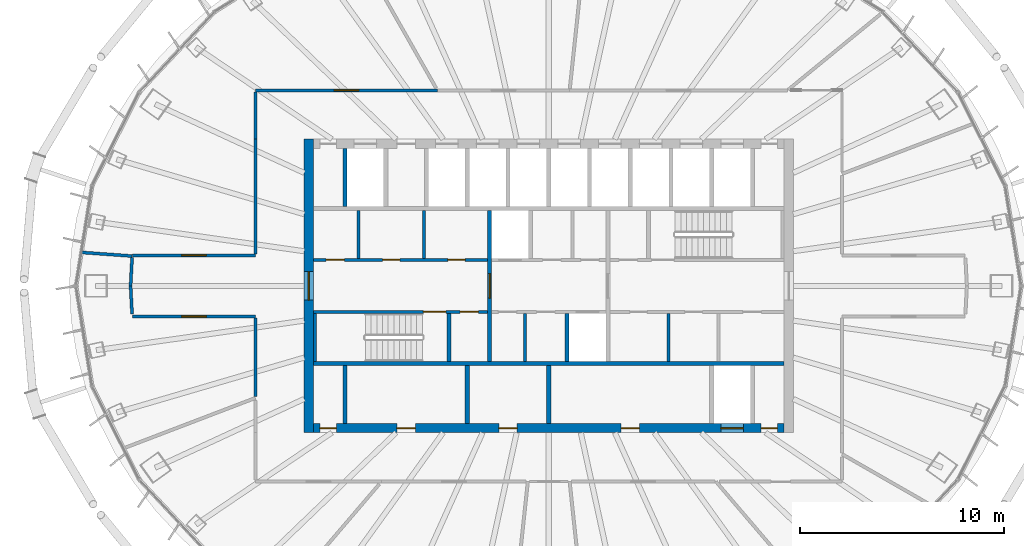
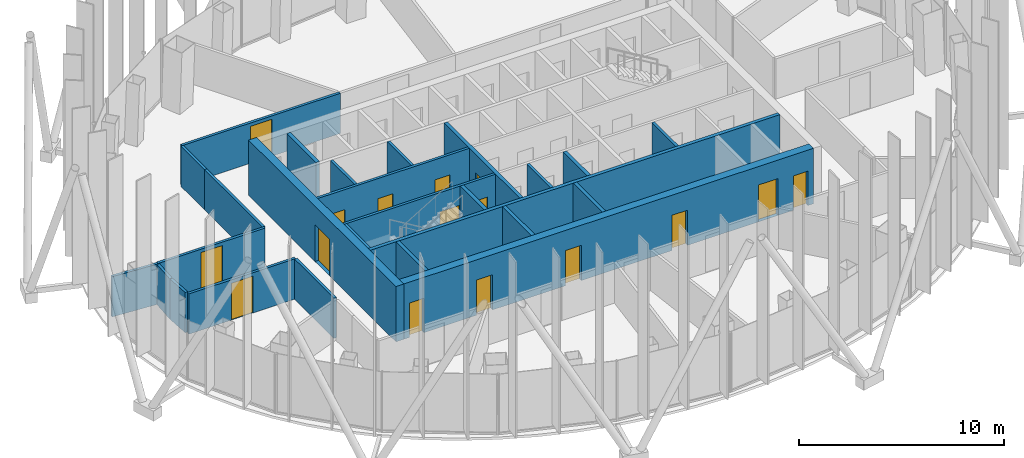
# One storey, part 10 of 19: 26 walls, 16 doors, 16 openings.
"""IFC4 building model written with IfcOpenShell, lengths in metres."""

from ifc_helpers import new_model, si_unit, direction, frame, frame_2d, origin, place, context, subcontext, project, spatial, rectangle, extrude, material, layer, layer_set, type_object, element, fill, save


model = new_model("IFC4")

# Units and contexts
model_context = context("Model", 3, precision=1e-05, world=origin(), true_north=direction((0.0, 1.0)))
body_context = subcontext(model_context, "Body", "Model", "MODEL_VIEW")
ifc_project = project(units=[si_unit("LENGTHUNIT", "METRE"), si_unit("AREAUNIT", "SQUARE_METRE"), si_unit("VOLUMEUNIT", "CUBIC_METRE"), si_unit("PLANEANGLEUNIT", "RADIAN"), si_unit("MASSUNIT", "GRAM", prefix="KILO")], contexts=[model_context])

# Site, building, storey
site_placement = place(None, origin())
site = spatial("IfcSite", under=ifc_project, at=site_placement, CompositionType="ELEMENT")
building_placement = place(site_placement, origin())
building = spatial("IfcBuilding", under=site, at=building_placement, Name="Siaravel Broadcast Tower", CompositionType="ELEMENT")
storey_placement = place(building_placement, frame((0.0, 0.0, 179.300048828125)))
storey = spatial("IfcBuildingStorey", under=building, at=storey_placement, Name="L43", CompositionType="ELEMENT", Elevation=179.300048828125)

# Walls
ifc_material_1 = material(Name="Concrete blockwork", Category="masonry")
ifc_layer_1 = layer(ifc_material_1, 0.14990234375)
ifc_layer_set_1 = layer_set([ifc_layer_1], Name="Concrete blockwork")
wall_type_1 = type_object("IfcWallType", Name="Core partition 150", PredefinedType="PARTITIONING", material=ifc_layer_set_1)
for number, where, z_axis, x_axis, name in (
    (1, (-9.330078125, 1.35009765625, 0.0), (0.0, 0.0, 1.0), (0.0, 1.0, 0.0), "L43 core partition PNW0"),
    (2, (-6.12744140625, 1.35009765625, 0.0), (0.0, 0.0, 1.0), (0.0, 1.0, 0.0), "L43 core partition PNW1"),
    (3, (5.8798828125, -3.699951171875, 0.0), (0.0, 0.0, 1.0), (0.0, 1.0, 0.0), "L43 core partition PSE0"),
    (4, (-1.172607421875, -3.699951171875, 0.0), (0.0, 0.0, 1.0), (0.0, 1.0, 0.0), "L43 core partition PSM0"),
):
    element("IfcWall", number, at=place(storey_placement, frame(where, z_axis=z_axis, x_axis=x_axis)), inside=storey, type_object=wall_type_1, Name=name, PredefinedType="PARTITIONING", context=body_context, shape_type="SweptSolid", body=[
        extrude(rectangle(XDim=2.349853515625, YDim=0.14990234375, at=frame_2d((1.1748046875, 0.0))), origin(), (0.0, 0.0, 1.0), 3.300048828125),
    ])
ifc_layer_2 = layer(ifc_material_1, 0.199951171875)
ifc_layer_set_2 = layer_set([ifc_layer_2], Name="Concrete blockwork")
wall_type_2 = type_object("IfcWallType", Name="Core partition 200", PredefinedType="PARTITIONING", material=ifc_layer_set_2)
for number, where, z_axis, x_axis, name in (
    (5, (-4.0, -6.75, 0.0), (0.0, 0.0, 1.0), (0.0, 1.0, 0.0), "L43 core partition PFS0"),
    (6, (0.0, -6.75, 0.0), (0.0, 0.0, 1.0), (0.0, 1.0, 0.0), "L43 core partition PFS3"),
):
    element("IfcWall", number, at=place(storey_placement, frame(where, z_axis=z_axis, x_axis=x_axis)), inside=storey, type_object=wall_type_2, Name=name, PredefinedType="PARTITIONING", context=body_context, shape_type="SweptSolid", body=[
        extrude(rectangle(XDim=2.85009765625, YDim=0.199951171875, at=frame_2d((1.425048828125, 0.0))), origin(), (0.0, 0.0, 1.0), 3.300048828125),
    ])

# Wall, opening, door
ifc_material_2 = material(Name="Concrete C60/75", Category="concrete")
ifc_layer_3 = layer(ifc_material_2, 0.449951171875)
ifc_layer_set_3 = layer_set([ifc_layer_3], Name="Concrete C60/75")
wall_type_3 = type_object("IfcWallType", Name="Core wall 450", PredefinedType="SHEAR", material=ifc_layer_set_3)
wall_1_placement = place(storey_placement, frame((-11.77490234375, -7.199951171875, 0.0), z_axis=(0.0, 0.0, 1.0), x_axis=(0.0, 1.0, 0.0)))
wall_1 = element("IfcWall", 7, at=wall_1_placement, inside=storey, type_object=wall_type_3, Name="L43 core wall OW", PredefinedType="SHEAR", context=body_context, shape_type="SweptSolid", body=[
    extrude(rectangle(XDim=14.39990234375, YDim=0.449951171875, at=frame_2d((7.199951171875, 0.0))), origin(), (0.0, 0.0, 1.0), 3.300048828125),
])
opening_1_placement = place(wall_1_placement, frame((6.5, 0.0, 0.0)))
opening_1 = element("IfcOpeningElement", 8, at=opening_1_placement, cuts=wall_1, Name="Opening L43-DX-W", PredefinedType="OPENING", context=body_context, shape_type="SweptSolid", body=[
    extrude(rectangle(XDim=1.39990234375, YDim=2.199951171875, at=frame_2d((0.699951171875, 1.10009765625))), frame((0.0, 0.23486328125, 0.0), z_axis=(0.0, -1.0, 0.0), x_axis=(1.0, 0.0, 0.0)), (0.0, 0.0, 1.0), 0.469970703125),
])
ifc_material_3 = material(Name="Steel", Category="steel")
door_type_1 = type_object("IfcDoorType", Name="Core exit door 1400", OperationType="DOUBLE_DOOR_SINGLE_SWING", PredefinedType="DOOR", material=ifc_material_3)
door_1_placement = place(opening_1_placement, origin())
door_1 = element("IfcDoor", 9, at=door_1_placement, inside=storey, type_object=door_type_1, Name="L43 door DX-W", OperationType="DOUBLE_DOOR_SINGLE_SWING", OverallHeight=2.199951171875, OverallWidth=1.39990234375, PredefinedType="DOOR", context=body_context, shape_type="SweptSolid", body=[
    extrude(rectangle(XDim=1.39990234375, YDim=2.199951171875, at=frame_2d((0.699951171875, 1.10009765625))), frame((0.0, 0.02490234375, 0.0), z_axis=(0.0, -1.0, 0.0), x_axis=(1.0, 0.0, 0.0)), (0.0, 0.0, 1.0), 0.050048828125),
])
fill(opening_1, door_1)

# Wall, openings, doors
wall_2_placement = place(storey_placement, frame((-11.550048828125, -6.97509765625, 0.0), z_axis=(0.0, 0.0, 1.0), x_axis=(1.0, 0.0, 0.0)))
wall_2 = element("IfcWall", 10, at=wall_2_placement, inside=storey, type_object=wall_type_3, Name="L43 core wall OS", PredefinedType="SHEAR", context=body_context, shape_type="SweptSolid", body=[
    extrude(rectangle(XDim=23.10009765625, YDim=0.449951171875, at=frame_2d((11.550048828125, 0.0))), origin(), (0.0, 0.0, 1.0), 3.300048828125),
])
opening_2_placement = place(wall_2_placement, frame((20.0, 0.0, 0.0)))
opening_2 = element("IfcOpeningElement", 11, at=opening_2_placement, cuts=wall_2, Name="Opening LD-SV1-L43", PredefinedType="OPENING", context=body_context, shape_type="SweptSolid", body=[
    extrude(rectangle(XDim=1.10009765625, YDim=2.199951171875, at=frame_2d((0.550048828125, 1.10009765625))), frame((0.0, 0.23486328125, 0.0), z_axis=(0.0, -1.0, 0.0), x_axis=(1.0, 0.0, 0.0)), (0.0, 0.0, 1.0), 0.469970703125),
])
opening_3_placement = place(wall_2_placement, frame((4.10009765625, 0.0, 0.0)))
opening_3 = element("IfcOpeningElement", 12, at=opening_3_placement, cuts=wall_2, Name="Opening L43-DFS0", PredefinedType="OPENING", context=body_context, shape_type="SweptSolid", body=[
    extrude(rectangle(XDim=0.89990234375, YDim=2.10009765625, at=frame_2d((0.449951171875, 1.050048828125))), frame((0.0, 0.23486328125, 0.0), z_axis=(0.0, -1.0, 0.0), x_axis=(1.0, 0.0, 0.0)), (0.0, 0.0, 1.0), 0.469970703125),
])
opening_4_placement = place(wall_2_placement, frame((9.10009765625, 0.0, 0.0)))
opening_4 = element("IfcOpeningElement", 13, at=opening_4_placement, cuts=wall_2, Name="Opening L43-DFS3", PredefinedType="OPENING", context=body_context, shape_type="SweptSolid", body=[
    extrude(rectangle(XDim=0.89990234375, YDim=2.10009765625, at=frame_2d((0.449951171875, 1.050048828125))), frame((0.0, 0.23486328125, 0.0), z_axis=(0.0, -1.0, 0.0), x_axis=(1.0, 0.0, 0.0)), (0.0, 0.0, 1.0), 0.469970703125),
])
opening_5_placement = place(wall_2_placement, frame((15.10009765625, 0.0, 0.0)))
opening_5 = element("IfcOpeningElement", 14, at=opening_5_placement, cuts=wall_2, Name="Opening L43-DFS5", PredefinedType="OPENING", context=body_context, shape_type="SweptSolid", body=[
    extrude(rectangle(XDim=0.89990234375, YDim=2.10009765625, at=frame_2d((0.449951171875, 1.050048828125))), frame((0.0, 0.23486328125, 0.0), z_axis=(0.0, -1.0, 0.0), x_axis=(1.0, 0.0, 0.0)), (0.0, 0.0, 1.0), 0.469970703125),
])
opening_6_placement = place(wall_2_placement, frame((0.324951171875, 0.0, 0.0)))
opening_6 = element("IfcOpeningElement", 15, at=opening_6_placement, cuts=wall_2, Name="Opening L43-DRSW", PredefinedType="OPENING", context=body_context, shape_type="SweptSolid", body=[
    extrude(rectangle(XDim=0.800048828125, YDim=2.050048828125, at=frame_2d((0.39990234375, 1.02490234375))), frame((0.0, 0.23486328125, 0.0), z_axis=(0.0, -1.0, 0.0), x_axis=(1.0, 0.0, 0.0)), (0.0, 0.0, 1.0), 0.469970703125),
])
opening_7_placement = place(wall_2_placement, frame((21.97509765625, 0.0, 0.0)))
opening_7 = element("IfcOpeningElement", 16, at=opening_7_placement, cuts=wall_2, Name="Opening L43-DRSE", PredefinedType="OPENING", context=body_context, shape_type="SweptSolid", body=[
    extrude(rectangle(XDim=0.800048828125, YDim=2.050048828125, at=frame_2d((0.39990234375, 1.02490234375))), frame((0.0, 0.23486328125, 0.0), z_axis=(0.0, -1.0, 0.0), x_axis=(1.0, 0.0, 0.0)), (0.0, 0.0, 1.0), 0.469970703125),
])
ifc_material_4 = material(Name="Timber veneer", Category="wood")
door_type_2 = type_object("IfcDoorType", Name="Core room door 900", OperationType="SINGLE_SWING_LEFT", PredefinedType="DOOR", material=ifc_material_4)
door_2_placement = place(opening_3_placement, origin())
door_2 = element("IfcDoor", 17, at=door_2_placement, inside=storey, type_object=door_type_2, Name="L43 door DFS0", OperationType="SINGLE_SWING_LEFT", OverallHeight=2.10009765625, OverallWidth=0.89990234375, PredefinedType="DOOR", context=body_context, shape_type="SweptSolid", body=[
    extrude(rectangle(XDim=0.89990234375, YDim=2.10009765625, at=frame_2d((0.449951171875, 1.050048828125))), frame((0.0, 0.02490234375, 0.0), z_axis=(0.0, -1.0, 0.0), x_axis=(1.0, 0.0, 0.0)), (0.0, 0.0, 1.0), 0.050048828125),
])
fill(opening_3, door_2)
door_3_placement = place(opening_4_placement, origin())
door_3 = element("IfcDoor", 18, at=door_3_placement, inside=storey, type_object=door_type_2, Name="L43 door DFS3", OperationType="SINGLE_SWING_LEFT", OverallHeight=2.10009765625, OverallWidth=0.89990234375, PredefinedType="DOOR", context=body_context, shape_type="SweptSolid", body=[
    extrude(rectangle(XDim=0.89990234375, YDim=2.10009765625, at=frame_2d((0.449951171875, 1.050048828125))), frame((0.0, 0.02490234375, 0.0), z_axis=(0.0, -1.0, 0.0), x_axis=(1.0, 0.0, 0.0)), (0.0, 0.0, 1.0), 0.050048828125),
])
fill(opening_4, door_3)
door_4_placement = place(opening_5_placement, origin())
door_4 = element("IfcDoor", 19, at=door_4_placement, inside=storey, type_object=door_type_2, Name="L43 door DFS5", OperationType="SINGLE_SWING_LEFT", OverallHeight=2.10009765625, OverallWidth=0.89990234375, PredefinedType="DOOR", context=body_context, shape_type="SweptSolid", body=[
    extrude(rectangle(XDim=0.89990234375, YDim=2.10009765625, at=frame_2d((0.449951171875, 1.050048828125))), frame((0.0, 0.02490234375, 0.0), z_axis=(0.0, -1.0, 0.0), x_axis=(1.0, 0.0, 0.0)), (0.0, 0.0, 1.0), 0.050048828125),
])
fill(opening_5, door_4)
door_type_3 = type_object("IfcDoorType", Name="Riser door 800", OperationType="SINGLE_SWING_LEFT", PredefinedType="DOOR", material=ifc_material_3)
door_5_placement = place(opening_6_placement, origin())
door_5 = element("IfcDoor", 20, at=door_5_placement, inside=storey, type_object=door_type_3, Name="L43 door DRSW", OperationType="SINGLE_SWING_LEFT", OverallHeight=2.050048828125, OverallWidth=0.800048828125, PredefinedType="DOOR", context=body_context, shape_type="SweptSolid", body=[
    extrude(rectangle(XDim=0.800048828125, YDim=2.050048828125, at=frame_2d((0.39990234375, 1.02490234375))), frame((0.0, 0.02490234375, 0.0), z_axis=(0.0, -1.0, 0.0), x_axis=(1.0, 0.0, 0.0)), (0.0, 0.0, 1.0), 0.050048828125),
])
fill(opening_6, door_5)
door_6_placement = place(opening_7_placement, origin())
door_6 = element("IfcDoor", 21, at=door_6_placement, inside=storey, type_object=door_type_3, Name="L43 door DRSE", OperationType="SINGLE_SWING_LEFT", OverallHeight=2.050048828125, OverallWidth=0.800048828125, PredefinedType="DOOR", context=body_context, shape_type="SweptSolid", body=[
    extrude(rectangle(XDim=0.800048828125, YDim=2.050048828125, at=frame_2d((0.39990234375, 1.02490234375))), frame((0.0, 0.02490234375, 0.0), z_axis=(0.0, -1.0, 0.0), x_axis=(1.0, 0.0, 0.0)), (0.0, 0.0, 1.0), 0.050048828125),
])
fill(opening_7, door_6)
ifc_material_5 = material(Name="Stainless steel 316L", Category="steel")
door_type_4 = type_object("IfcDoorType", Name="Service lift landing door 1100", OperationType="DOUBLE_DOOR_SLIDING", PredefinedType="DOOR", material=ifc_material_5)
door_7_placement = place(opening_2_placement, origin())
door_7 = element("IfcDoor", 22, at=door_7_placement, inside=storey, type_object=door_type_4, Name="Landing door SV1 L43", OperationType="DOUBLE_DOOR_SLIDING", OverallHeight=2.199951171875, OverallWidth=1.10009765625, PredefinedType="DOOR", context=body_context, shape_type="SweptSolid", body=[
    extrude(rectangle(XDim=1.10009765625, YDim=2.199951171875, at=frame_2d((0.550048828125, 1.10009765625))), frame((0.0, 0.02490234375, 0.0), z_axis=(0.0, -1.0, 0.0), x_axis=(1.0, 0.0, 0.0)), (0.0, 0.0, 1.0), 0.050048828125),
])
fill(opening_2, door_7)

ifc_material_6 = material(Name="Gypsum board partition", Category="gypsum")
ifc_layer_4 = layer(ifc_material_6, 0.14990234375)
ifc_layer_set_4 = layer_set([ifc_layer_4], Name="Gypsum board partition")
wall_type_4 = type_object("IfcWallType", Name="Corridor wall 150", PredefinedType="PARTITIONING", material=ifc_layer_set_4)
wall_3_placement = place(storey_placement, frame((-11.550048828125, 1.27490234375, 0.0), z_axis=(0.0, 0.0, 1.0), x_axis=(1.0, 0.0, 0.0)))
wall_3 = element("IfcWall", 23, at=wall_3_placement, inside=storey, type_object=wall_type_4, Name="L43 core partition CNW", PredefinedType="PARTITIONING", context=body_context, shape_type="SweptSolid", body=[
    extrude(rectangle(XDim=8.550048828125, YDim=0.14990234375, at=frame_2d((4.27490234375, 0.0))), origin(), (0.0, 0.0, 1.0), 3.300048828125),
])
opening_8_placement = place(wall_3_placement, frame((0.62255859375, 0.0, 0.0)))
opening_8 = element("IfcOpeningElement", 24, at=opening_8_placement, cuts=wall_3, Name="Opening L43-DNW0", PredefinedType="OPENING", context=body_context, shape_type="SweptSolid", body=[
    extrude(rectangle(XDim=0.89990234375, YDim=2.10009765625, at=frame_2d((0.449951171875, 1.050048828125))), frame((0.0, 0.0849609375, 0.0), z_axis=(0.0, -1.0, 0.0), x_axis=(1.0, 0.0, 0.0)), (0.0, 0.0, 1.0), 0.169921875),
])
opening_9_placement = place(wall_3_placement, frame((3.396240234375, 0.0, 0.0)))
opening_9 = element("IfcOpeningElement", 25, at=opening_9_placement, cuts=wall_3, Name="Opening L43-DNW1", PredefinedType="OPENING", context=body_context, shape_type="SweptSolid", body=[
    extrude(rectangle(XDim=0.85009765625, YDim=2.10009765625, at=frame_2d((0.425048828125, 1.050048828125))), frame((0.0, 0.0849609375, 0.0), z_axis=(0.0, -1.0, 0.0), x_axis=(1.0, 0.0, 0.0)), (0.0, 0.0, 1.0), 0.169921875),
])
opening_10_placement = place(wall_3_placement, frame((6.5986328125, 0.0, 0.0)))
opening_10 = element("IfcOpeningElement", 26, at=opening_10_placement, cuts=wall_3, Name="Opening L43-DNW2", PredefinedType="OPENING", context=body_context, shape_type="SweptSolid", body=[
    extrude(rectangle(XDim=0.85009765625, YDim=2.10009765625, at=frame_2d((0.425048828125, 1.050048828125))), frame((0.0, 0.0849609375, 0.0), z_axis=(0.0, -1.0, 0.0), x_axis=(1.0, 0.0, 0.0)), (0.0, 0.0, 1.0), 0.169921875),
])
door_8_placement = place(opening_8_placement, origin())
door_8 = element("IfcDoor", 27, at=door_8_placement, inside=storey, type_object=door_type_2, Name="L43 door DNW0", OperationType="SINGLE_SWING_LEFT", OverallHeight=2.10009765625, OverallWidth=0.89990234375, PredefinedType="DOOR", context=body_context, shape_type="SweptSolid", body=[
    extrude(rectangle(XDim=0.89990234375, YDim=2.10009765625, at=frame_2d((0.449951171875, 1.050048828125))), frame((0.0, 0.02490234375, 0.0), z_axis=(0.0, -1.0, 0.0), x_axis=(1.0, 0.0, 0.0)), (0.0, 0.0, 1.0), 0.050048828125),
])
fill(opening_8, door_8)
door_type_5 = type_object("IfcDoorType", Name="Core toilet door 850", OperationType="SINGLE_SWING_LEFT", PredefinedType="DOOR", material=ifc_material_4)
door_9_placement = place(opening_9_placement, origin())
door_9 = element("IfcDoor", 28, at=door_9_placement, inside=storey, type_object=door_type_5, Name="L43 door DNW1", OperationType="SINGLE_SWING_LEFT", OverallHeight=2.10009765625, OverallWidth=0.85009765625, PredefinedType="DOOR", context=body_context, shape_type="SweptSolid", body=[
    extrude(rectangle(XDim=0.85009765625, YDim=2.10009765625, at=frame_2d((0.425048828125, 1.050048828125))), frame((0.0, 0.02490234375, 0.0), z_axis=(0.0, -1.0, 0.0), x_axis=(1.0, 0.0, 0.0)), (0.0, 0.0, 1.0), 0.050048828125),
])
fill(opening_9, door_9)
door_10_placement = place(opening_10_placement, origin())
door_10 = element("IfcDoor", 29, at=door_10_placement, inside=storey, type_object=door_type_5, Name="L43 door DNW2", OperationType="SINGLE_SWING_LEFT", OverallHeight=2.10009765625, OverallWidth=0.85009765625, PredefinedType="DOOR", context=body_context, shape_type="SweptSolid", body=[
    extrude(rectangle(XDim=0.85009765625, YDim=2.10009765625, at=frame_2d((0.425048828125, 1.050048828125))), frame((0.0, 0.02490234375, 0.0), z_axis=(0.0, -1.0, 0.0), x_axis=(1.0, 0.0, 0.0)), (0.0, 0.0, 1.0), 0.050048828125),
])
fill(opening_10, door_10)

# Wall, opening, door
wall_4_placement = place(storey_placement, frame((-5.465087890625, 9.60009765625, 0.0), z_axis=(0.0, 0.0, 1.0), x_axis=(-1.0, 0.0, 0.0)))
wall_4 = element("IfcWall", 30, at=wall_4_placement, inside=storey, type_object=wall_type_4, Name="L43 partition 5", PredefinedType="PARTITIONING", context=body_context, shape_type="SweptSolid", body=[
    extrude(rectangle(XDim=8.934814453125, YDim=0.14990234375, at=frame_2d((4.46728515625, 0.0))), origin(), (0.0, 0.0, 1.0), 2.39990234375),
])
opening_11_placement = place(wall_4_placement, frame((3.867431640625, 0.0, 0.0)))
opening_11 = element("IfcOpeningElement", 31, at=opening_11_placement, cuts=wall_4, Name="Opening L43-008", PredefinedType="OPENING", context=body_context, shape_type="SweptSolid", body=[
    extrude(rectangle(XDim=1.199951171875, YDim=2.199951171875, at=frame_2d((0.60009765625, 1.10009765625))), frame((0.0, 0.0849609375, 0.0), z_axis=(0.0, -1.0, 0.0), x_axis=(1.0, 0.0, 0.0)), (0.0, 0.0, 1.0), 0.169921875),
])
door_type_6 = type_object("IfcDoorType", Name="Office double door 1200", OperationType="DOUBLE_DOOR_SINGLE_SWING", PredefinedType="DOOR", material=ifc_material_4)
door_11_placement = place(opening_11_placement, origin())
door_11 = element("IfcDoor", 32, at=door_11_placement, inside=storey, type_object=door_type_6, Name="L43 door to Open plan office", OperationType="DOUBLE_DOOR_SINGLE_SWING", OverallHeight=2.199951171875, OverallWidth=1.199951171875, PredefinedType="DOOR", context=body_context, shape_type="SweptSolid", body=[
    extrude(rectangle(XDim=1.199951171875, YDim=2.199951171875, at=frame_2d((0.60009765625, 1.10009765625))), frame((0.0, 0.02490234375, 0.0), z_axis=(0.0, -1.0, 0.0), x_axis=(1.0, 0.0, 0.0)), (0.0, 0.0, 1.0), 0.050048828125),
])
fill(opening_11, door_11)

wall_5_placement = place(storey_placement, frame((-14.39990234375, 1.5, 0.0), z_axis=(0.0, 0.0, 1.0), x_axis=(-1.0, 0.0, 0.0)))
wall_5 = element("IfcWall", 33, at=wall_5_placement, inside=storey, type_object=wall_type_4, Name="L43 partition 15", PredefinedType="PARTITIONING", context=body_context, shape_type="SweptSolid", body=[
    extrude(rectangle(XDim=6.027587890625, YDim=0.14990234375, at=frame_2d((3.013671875, 0.0))), origin(), (0.0, 0.0, 1.0), 2.39990234375),
])
opening_12_placement = place(wall_5_placement, frame((2.413818359375, 0.0, 0.0)))
opening_12 = element("IfcOpeningElement", 34, at=opening_12_placement, cuts=wall_5, Name="Opening L43-009", PredefinedType="OPENING", context=body_context, shape_type="SweptSolid", body=[
    extrude(rectangle(XDim=1.199951171875, YDim=2.199951171875, at=frame_2d((0.60009765625, 1.10009765625))), frame((0.0, 0.0849609375, 0.0), z_axis=(0.0, -1.0, 0.0), x_axis=(1.0, 0.0, 0.0)), (0.0, 0.0, 1.0), 0.169921875),
])
door_12_placement = place(opening_12_placement, origin())
door_12 = element("IfcDoor", 35, at=door_12_placement, inside=storey, type_object=door_type_6, Name="L43 door to Open plan office", OperationType="DOUBLE_DOOR_SINGLE_SWING", OverallHeight=2.199951171875, OverallWidth=1.199951171875, PredefinedType="DOOR", context=body_context, shape_type="SweptSolid", body=[
    extrude(rectangle(XDim=1.199951171875, YDim=2.199951171875, at=frame_2d((0.60009765625, 1.10009765625))), frame((0.0, 0.02490234375, 0.0), z_axis=(0.0, -1.0, 0.0), x_axis=(1.0, 0.0, 0.0)), (0.0, 0.0, 1.0), 0.050048828125),
])
fill(opening_12, door_12)

wall_6_placement = place(storey_placement, frame((-20.427490234375, -1.5, 0.0), z_axis=(0.0, 0.0, 1.0), x_axis=(1.0, 0.0, 0.0)))
wall_6 = element("IfcWall", 36, at=wall_6_placement, inside=storey, type_object=wall_type_4, Name="L43 partition 16", PredefinedType="PARTITIONING", context=body_context, shape_type="SweptSolid", body=[
    extrude(rectangle(XDim=6.027587890625, YDim=0.14990234375, at=frame_2d((3.013671875, 0.0))), origin(), (0.0, 0.0, 1.0), 2.39990234375),
])
opening_13_placement = place(wall_6_placement, frame((2.413818359375, 0.0, 0.0)))
opening_13 = element("IfcOpeningElement", 37, at=opening_13_placement, cuts=wall_6, Name="Opening L43-010", PredefinedType="OPENING", context=body_context, shape_type="SweptSolid", body=[
    extrude(rectangle(XDim=1.199951171875, YDim=2.199951171875, at=frame_2d((0.60009765625, 1.10009765625))), frame((0.0, 0.0849609375, 0.0), z_axis=(0.0, -1.0, 0.0), x_axis=(1.0, 0.0, 0.0)), (0.0, 0.0, 1.0), 0.169921875),
])
door_13_placement = place(opening_13_placement, origin())
door_13 = element("IfcDoor", 38, at=door_13_placement, inside=storey, type_object=door_type_6, Name="L43 door to Open plan office", OperationType="DOUBLE_DOOR_SINGLE_SWING", OverallHeight=2.199951171875, OverallWidth=1.199951171875, PredefinedType="DOOR", context=body_context, shape_type="SweptSolid", body=[
    extrude(rectangle(XDim=1.199951171875, YDim=2.199951171875, at=frame_2d((0.60009765625, 1.10009765625))), frame((0.0, 0.02490234375, 0.0), z_axis=(0.0, -1.0, 0.0), x_axis=(1.0, 0.0, 0.0)), (0.0, 0.0, 1.0), 0.050048828125),
])
fill(opening_13, door_13)

# Walls
wall_7_placement = place(storey_placement, frame((-14.39990234375, 7.2119140625, 0.0), z_axis=(0.0, 0.0, 1.0), x_axis=(0.0, -1.0, 0.0)))
element("IfcWall", 39, at=wall_7_placement, inside=storey, type_object=wall_type_4, Name="L43 partition 21", PredefinedType="PARTITIONING", context=body_context, shape_type="SweptSolid", body=[
    extrude(rectangle(XDim=5.635009765625, YDim=0.14990234375, at=frame_2d((2.8173828125, 0.0))), origin(), (0.0, 0.0, 1.0), 2.39990234375),
])
wall_8_placement = place(storey_placement, frame((-14.39990234375, -1.576904296875, 0.0), z_axis=(0.0, 0.0, 1.0), x_axis=(0.0, -1.0, 0.0)))
element("IfcWall", 40, at=wall_8_placement, inside=storey, type_object=wall_type_4, Name="L43 partition 24", PredefinedType="PARTITIONING", context=body_context, shape_type="SweptSolid", body=[
    extrude(rectangle(XDim=3.851318359375, YDim=0.14990234375, at=frame_2d((1.92578125, 0.0))), origin(), (0.0, 0.0, 1.0), 2.39990234375),
])
wall_9_placement = place(storey_placement, frame((-14.39990234375, 9.52294921875, 0.0), z_axis=(0.0, 0.0, 1.0), x_axis=(0.0, -1.0, 0.0)))
element("IfcWall", 41, at=wall_9_placement, inside=storey, type_object=wall_type_4, Name="L43 partition 29", PredefinedType="PARTITIONING", context=body_context, shape_type="SweptSolid", body=[
    extrude(rectangle(XDim=2.31005859375, YDim=0.14990234375, at=frame_2d((1.155029296875, 0.0))), origin(), (0.0, 0.0, 1.0), 2.39990234375),
])
wall_10_placement = place(storey_placement, frame((-20.447021484375, 1.38818359375, 0.0), z_axis=(0.0, 0.0, 1.0), x_axis=(-0.053213278, -0.99858317, 0.0)))
element("IfcWall", 42, at=wall_10_placement, inside=storey, type_object=wall_type_4, Name="L43 partition 35", PredefinedType="PARTITIONING", context=body_context, shape_type="SweptSolid", body=[
    extrude(rectangle(XDim=1.39013671875, YDim=0.14990234375, at=frame_2d((0.695068359375, 0.0))), origin(), (0.0, 0.0, 1.0), 2.39990234375),
])
wall_11_placement = place(storey_placement, frame((-20.5205078125, -0.010009765625, 0.0), z_axis=(0.0, 0.0, 1.0), x_axis=(0.053271904, -0.998580044, 0.0)))
element("IfcWall", 43, at=wall_11_placement, inside=storey, type_object=wall_type_4, Name="L43 partition 38", PredefinedType="PARTITIONING", context=body_context, shape_type="SweptSolid", body=[
    extrude(rectangle(XDim=1.36572265625, YDim=0.14990234375, at=frame_2d((0.682861328125, 0.0))), origin(), (0.0, 0.0, 1.0), 2.39990234375),
])
ifc_layer_5 = layer(ifc_material_6, 0.14990234375)
ifc_layer_set_5 = layer_set([ifc_layer_5], Name="Gypsum board partition")
wall_type_5 = type_object("IfcWallType", Name="Room partition 150", PredefinedType="PARTITIONING", material=ifc_layer_set_5)
wall_12_placement = place(storey_placement, frame((-22.93701171875, 1.643798828125, 0.0), z_axis=(0.0, 0.0, 1.0), x_axis=(0.997442816, -0.071469082, 0.0)))
element("IfcWall", 44, at=wall_12_placement, inside=storey, type_object=wall_type_5, Name="L43 partition 27", PredefinedType="PARTITIONING", context=body_context, shape_type="SweptSolid", body=[
    extrude(rectangle(XDim=2.50048828125, YDim=0.14990234375, at=frame_2d((1.250244140625, 0.0))), origin(), (0.0, 0.0, 1.0), 2.39990234375),
])

# Wall, openings, doors
ifc_layer_6 = layer(ifc_material_2, 0.14990234375)
ifc_layer_set_6 = layer_set([ifc_layer_6], Name="Concrete C60/75")
wall_type_6 = type_object("IfcWallType", Name="Shaft wall 150", PredefinedType="SHEAR", material=ifc_layer_set_6)
wall_13_placement = place(storey_placement, frame((-11.550048828125, -1.27490234375, 0.0), z_axis=(0.0, 0.0, 1.0), x_axis=(1.0, 0.0, 0.0)))
wall_13 = element("IfcWall", 45, at=wall_13_placement, inside=storey, type_object=wall_type_6, Name="L43 core wall CSW", PredefinedType="SHEAR", context=body_context, shape_type="SweptSolid", body=[
    extrude(rectangle(XDim=8.550048828125, YDim=0.14990234375, at=frame_2d((4.27490234375, 0.0))), origin(), (0.0, 0.0, 1.0), 3.300048828125),
])
opening_14_placement = place(wall_13_placement, frame((5.39990234375, 0.0, 0.0)))
opening_14 = element("IfcOpeningElement", 46, at=opening_14_placement, cuts=wall_13, Name="Opening L43-DS-1", PredefinedType="OPENING", context=body_context, shape_type="SweptSolid", body=[
    extrude(rectangle(XDim=1.10009765625, YDim=2.14990234375, at=frame_2d((0.550048828125, 1.074951171875))), frame((0.0, 0.0849609375, 0.0), z_axis=(0.0, -1.0, 0.0), x_axis=(1.0, 0.0, 0.0)), (0.0, 0.0, 1.0), 0.169921875),
])
opening_15_placement = place(wall_13_placement, frame((7.199951171875, 0.0, 0.0)))
opening_15 = element("IfcOpeningElement", 47, at=opening_15_placement, cuts=wall_13, Name="Opening L43-DSW0", PredefinedType="OPENING", context=body_context, shape_type="SweptSolid", body=[
    extrude(rectangle(XDim=0.89990234375, YDim=2.10009765625, at=frame_2d((0.449951171875, 1.050048828125))), frame((0.0, 0.0849609375, 0.0), z_axis=(0.0, -1.0, 0.0), x_axis=(1.0, 0.0, 0.0)), (0.0, 0.0, 1.0), 0.169921875),
])
door_14_placement = place(opening_15_placement, origin())
door_14 = element("IfcDoor", 48, at=door_14_placement, inside=storey, type_object=door_type_2, Name="L43 door DSW0", OperationType="SINGLE_SWING_LEFT", OverallHeight=2.10009765625, OverallWidth=0.89990234375, PredefinedType="DOOR", context=body_context, shape_type="SweptSolid", body=[
    extrude(rectangle(XDim=0.89990234375, YDim=2.10009765625, at=frame_2d((0.449951171875, 1.050048828125))), frame((0.0, 0.02490234375, 0.0), z_axis=(0.0, -1.0, 0.0), x_axis=(1.0, 0.0, 0.0)), (0.0, 0.0, 1.0), 0.050048828125),
])
fill(opening_15, door_14)
door_type_7 = type_object("IfcDoorType", Name="Stair door 1100", OperationType="SINGLE_SWING_LEFT", PredefinedType="DOOR", material=ifc_material_3)
door_15_placement = place(opening_14_placement, origin())
door_15 = element("IfcDoor", 49, at=door_15_placement, inside=storey, type_object=door_type_7, Name="L43 door DS-1", OperationType="SINGLE_SWING_LEFT", OverallHeight=2.14990234375, OverallWidth=1.10009765625, PredefinedType="DOOR", context=body_context, shape_type="SweptSolid", body=[
    extrude(rectangle(XDim=1.10009765625, YDim=2.14990234375, at=frame_2d((0.550048828125, 1.074951171875))), frame((0.0, 0.02490234375, 0.0), z_axis=(0.0, -1.0, 0.0), x_axis=(1.0, 0.0, 0.0)), (0.0, 0.0, 1.0), 0.050048828125),
])
fill(opening_14, door_15)

# Walls
wall_14_placement = place(storey_placement, frame((-11.47509765625, -3.699951171875, 0.0), z_axis=(0.0, 0.0, 1.0), x_axis=(0.0, 1.0, 0.0)))
element("IfcWall", 50, at=wall_14_placement, inside=storey, type_object=wall_type_6, Name="L43 core wall ST1W", PredefinedType="SHEAR", context=body_context, shape_type="SweptSolid", body=[
    extrude(rectangle(XDim=2.349853515625, YDim=0.14990234375, at=frame_2d((1.1748046875, 0.0))), origin(), (0.0, 0.0, 1.0), 3.300048828125),
])
ifc_layer_7 = layer(ifc_material_2, 0.199951171875)
ifc_layer_set_7 = layer_set([ifc_layer_7], Name="Concrete C60/75")
wall_type_7 = type_object("IfcWallType", Name="Shaft wall 200", PredefinedType="SHEAR", material=ifc_layer_set_7)
wall_15_placement = place(storey_placement, frame((-11.550048828125, -3.800048828125, 0.0), z_axis=(0.0, 0.0, 1.0), x_axis=(1.0, 0.0, 0.0)))
element("IfcWall", 51, at=wall_15_placement, inside=storey, type_object=wall_type_7, Name="L43 core wall BS", PredefinedType="SHEAR", context=body_context, shape_type="SweptSolid", body=[
    extrude(rectangle(XDim=23.10009765625, YDim=0.199951171875, at=frame_2d((11.550048828125, 0.0))), origin(), (0.0, 0.0, 1.0), 3.300048828125),
])
for number, where, z_axis, x_axis, name in (
    (52, (-10.0, -6.75, 0.0), (0.0, 0.0, 1.0), (0.0, 1.0, 0.0), "L43 core wall SWS0"),
    (53, (-10.0, 3.89990234375, 0.0), (0.0, 0.0, 1.0), (0.0, 1.0, 0.0), "L43 core wall SWN0"),
):
    element("IfcWall", number, at=place(storey_placement, frame(where, z_axis=z_axis, x_axis=x_axis)), inside=storey, type_object=wall_type_7, Name=name, PredefinedType="SHEAR", context=body_context, shape_type="SweptSolid", body=[
        extrude(rectangle(XDim=2.85009765625, YDim=0.199951171875, at=frame_2d((1.425048828125, 0.0))), origin(), (0.0, 0.0, 1.0), 3.300048828125),
    ])

# Wall, opening, door
wall_16_placement = place(storey_placement, frame((-2.89990234375, -3.699951171875, 0.0), z_axis=(0.0, 0.0, 1.0), x_axis=(0.0, 1.0, 0.0)))
wall_16 = element("IfcWall", 54, at=wall_16_placement, inside=storey, type_object=wall_type_7, Name="L43 core wall LW", PredefinedType="SHEAR", context=body_context, shape_type="SweptSolid", body=[
    extrude(rectangle(XDim=7.39990234375, YDim=0.199951171875, at=frame_2d((3.699951171875, 0.0))), origin(), (0.0, 0.0, 1.0), 3.300048828125),
])
opening_16_placement = place(wall_16_placement, frame((3.10009765625, 0.0, 0.0)))
opening_16 = element("IfcOpeningElement", 55, at=opening_16_placement, cuts=wall_16, Name="Opening L43-DL-W", PredefinedType="OPENING", context=body_context, shape_type="SweptSolid", body=[
    extrude(rectangle(XDim=1.199951171875, YDim=2.199951171875, at=frame_2d((0.60009765625, 1.10009765625))), frame((0.0, 0.10986328125, 0.0), z_axis=(0.0, -1.0, 0.0), x_axis=(1.0, 0.0, 0.0)), (0.0, 0.0, 1.0), 0.219970703125),
])
door_type_8 = type_object("IfcDoorType", Name="Firefighting lobby door 1200", OperationType="SINGLE_SWING_LEFT", PredefinedType="DOOR", material=ifc_material_3)
door_16_placement = place(opening_16_placement, origin())
door_16 = element("IfcDoor", 56, at=door_16_placement, inside=storey, type_object=door_type_8, Name="L43 door DL-W", OperationType="SINGLE_SWING_LEFT", OverallHeight=2.199951171875, OverallWidth=1.199951171875, PredefinedType="DOOR", context=body_context, shape_type="SweptSolid", body=[
    extrude(rectangle(XDim=1.199951171875, YDim=2.199951171875, at=frame_2d((0.60009765625, 1.10009765625))), frame((0.0, 0.02490234375, 0.0), z_axis=(0.0, -1.0, 0.0), x_axis=(1.0, 0.0, 0.0)), (0.0, 0.0, 1.0), 0.050048828125),
])
fill(opening_16, door_16)

# Walls
for number, where, z_axis, x_axis, name in (
    (57, (0.89990234375, -3.699951171875, 0.0), (0.0, 0.0, 1.0), (0.0, 1.0, 0.0), "L43 core wall FF2W"),
    (58, (-4.89990234375, -3.699951171875, 0.0), (0.0, 0.0, 1.0), (0.0, 1.0, 0.0), "L43 core wall ST1E"),
):
    element("IfcWall", number, at=place(storey_placement, frame(where, z_axis=z_axis, x_axis=x_axis)), inside=storey, type_object=wall_type_7, Name=name, PredefinedType="SHEAR", context=body_context, shape_type="SweptSolid", body=[
        extrude(rectangle(XDim=2.349853515625, YDim=0.199951171875, at=frame_2d((1.1748046875, 0.0))), origin(), (0.0, 0.0, 1.0), 3.300048828125),
    ])

save(model, "model.ifc")
